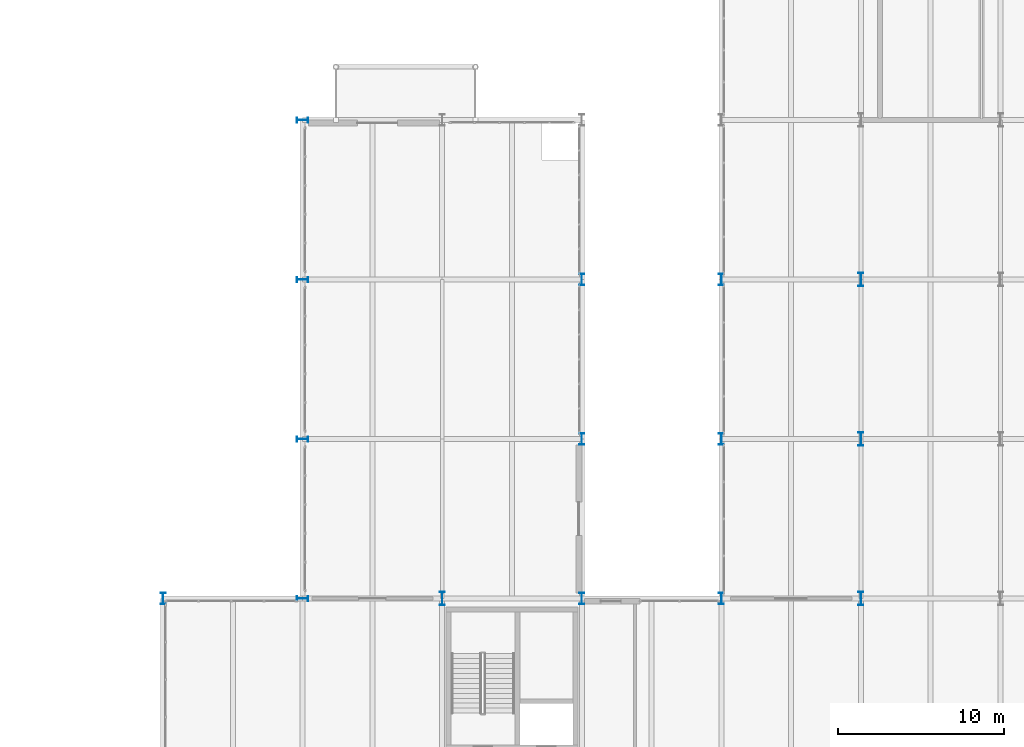
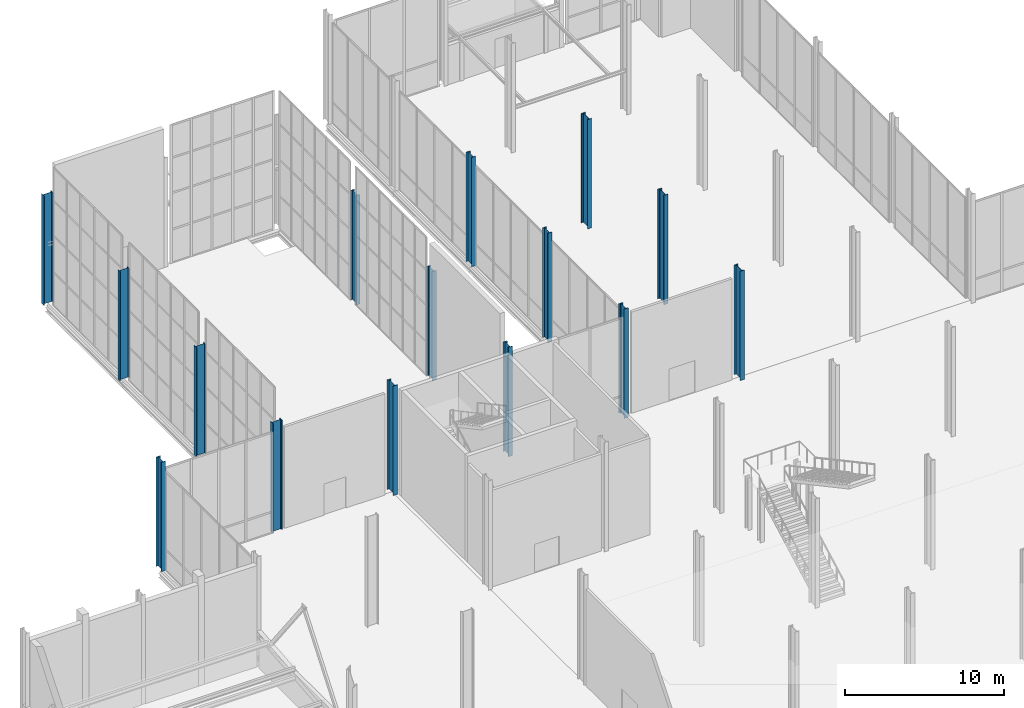
# One storey, part 9 of 131: 15 columns.
"""IFC4 building model written with IfcOpenShell, lengths in metres."""

from ifc_helpers import new_model, si_unit, direction, frame, origin, origin_2d, place, context, subcontext, project, spatial, i_section, extrude, material, material_profile, profile_set, type_object, element, save


model = new_model("IFC4")

# Units and contexts
model_context = context("Model", 3, precision=1e-05, world=origin(), true_north=direction((0.0, 1.0)))
body_context = subcontext(model_context, "Body", "Model", "MODEL_VIEW")
ifc_project = project(units=[si_unit("LENGTHUNIT", "METRE"), si_unit("AREAUNIT", "SQUARE_METRE"), si_unit("VOLUMEUNIT", "CUBIC_METRE"), si_unit("PLANEANGLEUNIT", "RADIAN"), si_unit("MASSUNIT", "GRAM", prefix="KILO")], contexts=[model_context])

# Site, building, storey
site_placement = place(None, origin())
site = spatial("IfcSite", under=ifc_project, at=site_placement, CompositionType="ELEMENT")
building_placement = place(site_placement, origin())
building = spatial("IfcBuilding", under=site, at=building_placement, Name="Veltarok Museum of Natural Sciences", CompositionType="ELEMENT")
storey_placement = place(building_placement, origin())
storey = spatial("IfcBuildingStorey", under=building, at=storey_placement, Name="L00", CompositionType="ELEMENT", Elevation=0.0)

# Columns
ifc_material = material(Name="Steel S355J2", Category="steel")
ifc_material_profile_1 = material_profile(ifc_material, i_section(OverallWidth=0.300048828125, OverallDepth=0.699951171875, WebThickness=0.01708984375, FlangeThickness=0.031982421875, FilletRadius=0.027099609375, at=origin_2d()), Name="HEB 700")
ifc_profile_set_1 = profile_set([ifc_material_profile_1], Name="Steel S355J2")
column_type_1 = type_object("IfcColumnType", Name="Perimeter Steel Column HEB 700", PredefinedType="COLUMN", material=ifc_profile_set_1)
for number, where, z_axis, x_axis, name in (
    (1, (23.199951171875, 72.0, 0.0), (0.0, 0.0, 1.0), (1.0, 0.0, 0.0), "Column COL-EXT01 L00 3/H"),
    (2, (31.60009765625, 72.0, 0.0), (0.0, 0.0, 1.0), (0.0, 1.0, 0.0), "Column COL-EXT01 L00 4/H"),
    (3, (31.60009765625, 81.60009765625, 0.0), (0.0, 0.0, 1.0), (0.0, 1.0, 0.0), "Column COL-EXT01 L00 4/J"),
    (4, (31.60009765625, 91.199951171875, 0.0), (0.0, 0.0, 1.0), (0.0, 1.0, 0.0), "Column COL-EXT01 L00 4/K"),
    (5, (31.60009765625, 100.800048828125, 0.0), (0.0, 0.0, 1.0), (0.0, 1.0, 0.0), "Column COL-EXT01 L00 4/L"),
    (6, (48.39990234375, 72.0, 0.0), (0.0, 0.0, 1.0), (1.0, 0.0, 0.0), "Column COL-EXT01 L00 6/H"),
    (7, (48.39990234375, 81.60009765625, 0.0), (0.0, 0.0, 1.0), (1.0, 0.0, 0.0), "Column COL-EXT01 L00 6/J"),
    (8, (48.39990234375, 91.199951171875, 0.0), (0.0, 0.0, 1.0), (1.0, 0.0, 0.0), "Column COL-EXT01 L00 6/K"),
    (9, (56.800048828125, 72.0, 0.0), (0.0, 0.0, 1.0), (1.0, 0.0, 0.0), "Column COL-EXT01 L00 7/H"),
    (10, (56.800048828125, 81.60009765625, 0.0), (0.0, 0.0, 1.0), (1.0, 0.0, 0.0), "Column COL-EXT01 L00 7/J"),
    (11, (56.800048828125, 91.199951171875, 0.0), (0.0, 0.0, 1.0), (1.0, 0.0, 0.0), "Column COL-EXT01 L00 7/K"),
):
    element("IfcColumn", number, at=place(storey_placement, frame(where, z_axis=z_axis, x_axis=x_axis)), inside=storey, type_object=column_type_1, Name=name, PredefinedType="COLUMN", context=body_context, shape_type="SweptSolid", body=[
        extrude(i_section(OverallWidth=0.300048828125, OverallDepth=0.699951171875, WebThickness=0.01708984375, FlangeThickness=0.031982421875, FilletRadius=0.027099609375, at=origin_2d()), origin(), (0.0, 0.0, 1.0), 8.39990234375),
    ])
ifc_material_profile_2 = material_profile(ifc_material, i_section(OverallWidth=0.300048828125, OverallDepth=0.800048828125, WebThickness=0.017578125, FlangeThickness=0.032958984375, FilletRadius=0.030029296875, at=origin_2d()), Name="HEB 800")
ifc_profile_set_2 = profile_set([ifc_material_profile_2], Name="Steel S355J2")
column_type_2 = type_object("IfcColumnType", Name="Primary Frame Column HEB 800", PredefinedType="COLUMN", material=ifc_profile_set_2)
for number, where, z_axis, x_axis, name in (
    (12, (40.0, 72.0, 0.0), (0.0, 0.0, 1.0), (1.0, 0.0, 0.0), "Column COL-S02 L00 5/H"),
    (13, (65.199951171875, 72.0, 0.0), (0.0, 0.0, 1.0), (1.0, 0.0, 0.0), "Column COL-S02 L00 8/H"),
    (14, (65.199951171875, 81.60009765625, 0.0), (0.0, 0.0, 1.0), (1.0, 0.0, 0.0), "Column COL-S02 L00 8/J"),
    (15, (65.199951171875, 91.199951171875, 0.0), (0.0, 0.0, 1.0), (1.0, 0.0, 0.0), "Column COL-S02 L00 8/K"),
):
    element("IfcColumn", number, at=place(storey_placement, frame(where, z_axis=z_axis, x_axis=x_axis)), inside=storey, type_object=column_type_2, Name=name, PredefinedType="COLUMN", context=body_context, shape_type="SweptSolid", body=[
        extrude(i_section(OverallWidth=0.300048828125, OverallDepth=0.800048828125, WebThickness=0.017578125, FlangeThickness=0.032958984375, FilletRadius=0.030029296875, at=origin_2d()), origin(), (0.0, 0.0, 1.0), 8.39990234375),
    ])

save(model, "model.ifc")
